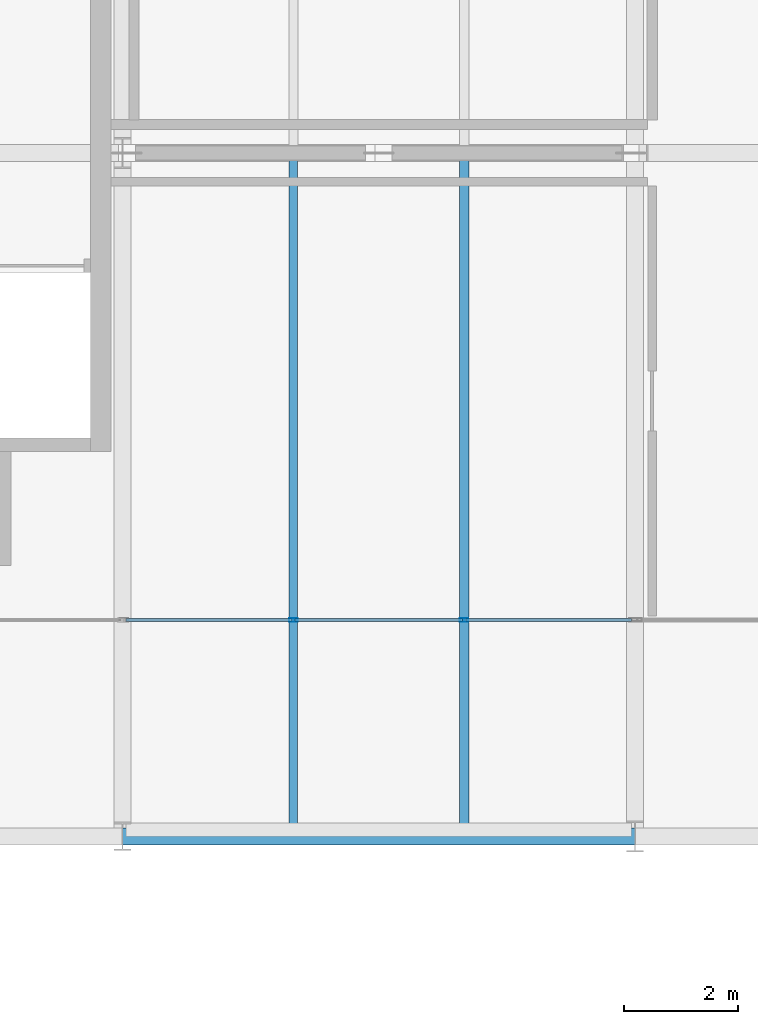
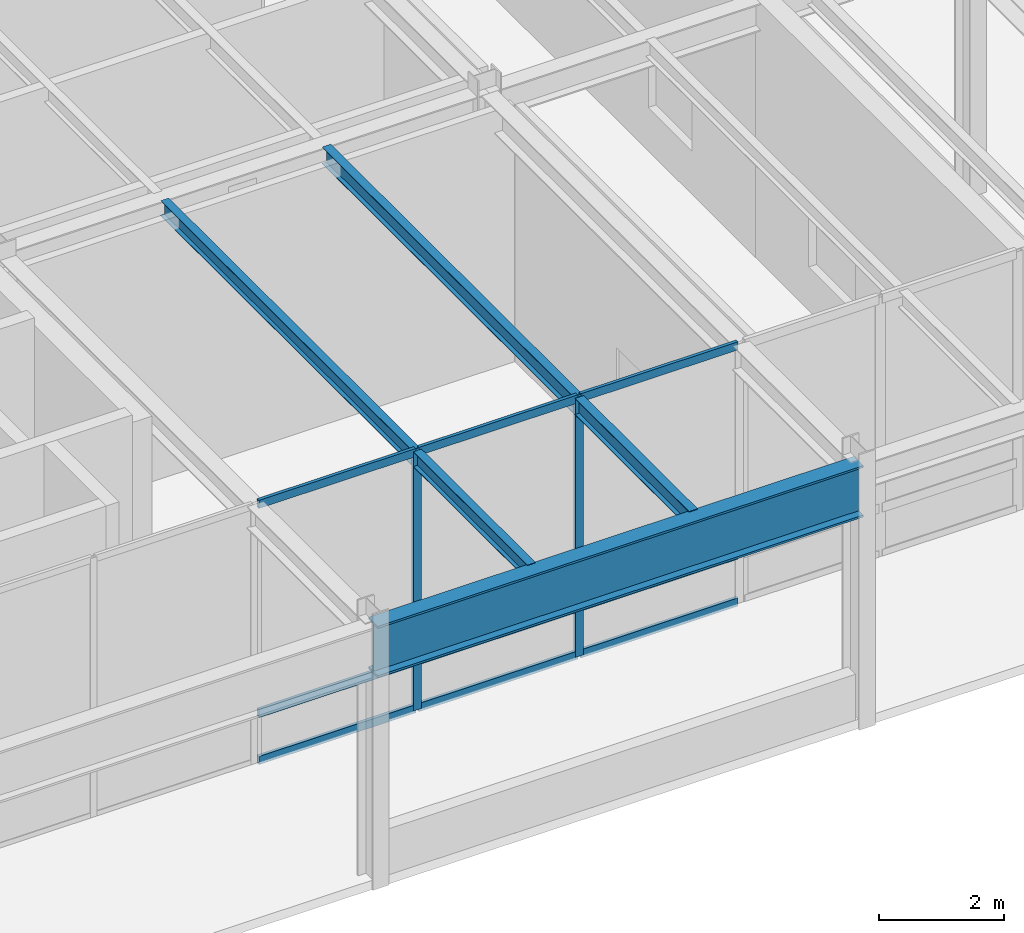
# One storey, part 31 of 143: 11 members, 3 beams, 1 element without a shape of its own.
"""IFC4 building model written with IfcOpenShell, lengths in metres."""

from ifc_helpers import new_model, si_unit, direction, frame, origin, origin_2d, place, context, subcontext, project, spatial, hollow_rectangle, i_section, extrude, material, layer, layer_set, material_profile, profile_set, type_object, element, aggregate, save


model = new_model("IFC4")

# Units and contexts
model_context = context("Model", 3, precision=1e-05, world=origin(), true_north=direction((0.0, 1.0)))
body_context = subcontext(model_context, "Body", "Model", "MODEL_VIEW")
ifc_project = project(units=[si_unit("LENGTHUNIT", "METRE"), si_unit("AREAUNIT", "SQUARE_METRE"), si_unit("VOLUMEUNIT", "CUBIC_METRE"), si_unit("PLANEANGLEUNIT", "RADIAN"), si_unit("MASSUNIT", "GRAM", prefix="KILO")], contexts=[model_context])

# Site, building, storey
site_placement = place(None, origin())
site = spatial("IfcSite", under=ifc_project, at=site_placement, CompositionType="ELEMENT")
building_placement = place(site_placement, origin())
building = spatial("IfcBuilding", under=site, at=building_placement, Name="Montelvaro Courts of Justice", CompositionType="ELEMENT")
storey_placement = place(building_placement, origin())
storey = spatial("IfcBuildingStorey", under=building, at=storey_placement, Name="L00", CompositionType="ELEMENT", Elevation=0.0)

# Beams
ifc_material_1 = material(Name="Steel S355", Category="steel")
ifc_material_profile_1 = material_profile(ifc_material_1, i_section(OverallWidth=0.302001953125, OverallDepth=1.008056640625, WebThickness=0.02099609375, FlangeThickness=0.0400390625, at=origin_2d()), Name="HEM 1000")
ifc_profile_set_1 = profile_set([ifc_material_profile_1], Name="Steel S355")
beam_type_1 = type_object("IfcBeamType", Name="Beam_HEM1000", PredefinedType="USERDEFINED", material=ifc_profile_set_1)
beam_1_placement = place(storey_placement, frame((72.0, 0.0, 4.555908203125), z_axis=(-1.0, 0.0, 0.0), x_axis=(0.0, -1.0, 0.0)))
element("IfcBeam", 1, at=beam_1_placement, inside=storey, type_object=beam_type_1, Name="Pratt Cantilever Truss Chord CTR-BAR1-S-L01-BS1", ObjectType="GIRDER", PredefinedType="USERDEFINED", context=body_context, shape_type="SweptSolid", body=[
    extrude(i_section(OverallWidth=0.302001953125, OverallDepth=1.008056640625, WebThickness=0.02099609375, FlangeThickness=0.0400390625, at=origin_2d()), origin(), (0.0, 0.0, 1.0), 9.0),
])
ifc_material_profile_2 = material_profile(ifc_material_1, i_section(OverallWidth=0.14990234375, OverallDepth=0.300048828125, WebThickness=0.007080078125, FlangeThickness=0.0107421875, at=origin_2d()), Name="IPE 300")
ifc_profile_set_2 = profile_set([ifc_material_profile_2], Name="Steel S355")
beam_type_2 = type_object("IfcBeamType", Name="Beam_IPE300", PredefinedType="BEAM", material=ifc_profile_set_2)
beam_2_placement = place(storey_placement, frame((66.0, 0.110107421875, 4.929931640625), z_axis=(0.0, 1.0, 0.0), x_axis=(-1.0, 0.0, 0.0)))
element("IfcBeam", 2, at=beam_2_placement, inside=storey, type_object=beam_type_2, Name="Beam B-05 L00", PredefinedType="BEAM", context=body_context, shape_type="SweptSolid", body=[
    extrude(i_section(OverallWidth=0.14990234375, OverallDepth=0.300048828125, WebThickness=0.007080078125, FlangeThickness=0.0107421875, at=origin_2d()), origin(), (0.0, 0.0, 1.0), 11.77978515625),
])
ifc_material_profile_3 = material_profile(ifc_material_1, i_section(OverallWidth=0.159912109375, OverallDepth=0.330078125, WebThickness=0.007568359375, FlangeThickness=0.011474609375, at=origin_2d()), Name="IPE 330")
ifc_profile_set_3 = profile_set([ifc_material_profile_3], Name="Steel S355")
beam_type_3 = type_object("IfcBeamType", Name="Beam_IPE330", PredefinedType="BEAM", material=ifc_profile_set_3)
beam_3_placement = place(storey_placement, frame((69.0, 0.110107421875, 4.9150390625), z_axis=(0.0, 1.0, 0.0), x_axis=(-1.0, 0.0, 0.0)))
element("IfcBeam", 3, at=beam_3_placement, inside=storey, type_object=beam_type_3, Name="Beam B-06 L00", PredefinedType="BEAM", context=body_context, shape_type="SweptSolid", body=[
    extrude(i_section(OverallWidth=0.159912109375, OverallDepth=0.330078125, WebThickness=0.007568359375, FlangeThickness=0.011474609375, at=origin_2d()), origin(), (0.0, 0.0, 1.0), 11.77978515625),
])

# Curtain wall, members
ifc_material_2 = material(Name="Anodised aluminium EN AW-6063", Category="aluminium")
ifc_layer = layer(ifc_material_2, 0.159912109375)
ifc_layer_set = layer_set([ifc_layer], Name="Anodised aluminium EN AW-6063")
curtain_wall_type = type_object("IfcCurtainWallType", Name="CurtainWall_11_900x508", PredefinedType="USERDEFINED", material=ifc_layer_set)
curtain_wall_placement = place(storey_placement, origin())
curtain_wall = element("IfcCurtainWall", 4, at=curtain_wall_placement, inside=storey, type_object=curtain_wall_type, Name="Curtain Wall CW-11 (L00)", ObjectType="CURTAIN WALL", PredefinedType="USERDEFINED")
ifc_material_profile_4 = material_profile(ifc_material_2, hollow_rectangle(XDim=0.06005859375, YDim=0.14990234375, WallThickness=0.00390625, at=origin_2d()), Name="ALU-M 60x150")
ifc_profile_set_4 = profile_set([ifc_material_profile_4], Name="Anodised aluminium EN AW-6063")
member_type_1 = type_object("IfcMemberType", Name="CurtainWall_Mullion_60x150", PredefinedType="MULLION", material=ifc_profile_set_4)
member_1_placement = place(storey_placement, frame((66.0, 3.800048828125, 0.0), z_axis=(0.0, 0.0, 1.0), x_axis=(0.0, 1.0, 0.0)))
member_1 = element("IfcMember", 5, at=member_1_placement, type_object=member_type_1, Name="CW-11 mullion 2", PredefinedType="MULLION", context=body_context, shape_type="SweptSolid", body=[
    extrude(hollow_rectangle(XDim=0.06005859375, YDim=0.14990234375, WallThickness=0.00390625, at=origin_2d()), origin(), (0.0, 0.0, 1.0), 5.080078125),
])
member_2_placement = place(storey_placement, frame((69.0, 3.800048828125, 0.0), z_axis=(0.0, 0.0, 1.0), x_axis=(0.0, 1.0, 0.0)))
member_2 = element("IfcMember", 6, at=member_2_placement, type_object=member_type_1, Name="CW-11 mullion 3", PredefinedType="MULLION", context=body_context, shape_type="SweptSolid", body=[
    extrude(hollow_rectangle(XDim=0.06005859375, YDim=0.14990234375, WallThickness=0.00390625, at=origin_2d()), origin(), (0.0, 0.0, 1.0), 5.080078125),
])
ifc_material_profile_5 = material_profile(ifc_material_2, hollow_rectangle(XDim=0.06005859375, YDim=0.159912109375, WallThickness=0.00439453125, at=origin_2d()), Name="ALU-T 60x160")
ifc_profile_set_5 = profile_set([ifc_material_profile_5], Name="Anodised aluminium EN AW-6063")
member_type_2 = type_object("IfcMemberType", Name="CurtainWall_Transom_60x160", PredefinedType="USERDEFINED", material=ifc_profile_set_5)
member_3_placement = place(storey_placement, frame((63.06005859375, 3.800048828125, 0.030029296875), z_axis=(1.0, 0.0, 0.0), x_axis=(0.0, 1.0, 0.0)))
member_3 = element("IfcMember", 7, at=member_3_placement, type_object=member_type_2, Name="CW-11 transom 1.1", ObjectType="TRANSOM", PredefinedType="USERDEFINED", context=body_context, shape_type="SweptSolid", body=[
    extrude(hollow_rectangle(XDim=0.06005859375, YDim=0.159912109375, WallThickness=0.00439453125, at=origin_2d()), origin(), (0.0, 0.0, 1.0), 2.909912109375),
])
member_4_placement = place(storey_placement, frame((63.06005859375, 3.800048828125, 0.949951171875), z_axis=(1.0, 0.0, 0.0), x_axis=(0.0, 1.0, 0.0)))
member_4 = element("IfcMember", 8, at=member_4_placement, type_object=member_type_2, Name="CW-11 transom 1.2", ObjectType="TRANSOM", PredefinedType="USERDEFINED", context=body_context, shape_type="SweptSolid", body=[
    extrude(hollow_rectangle(XDim=0.06005859375, YDim=0.159912109375, WallThickness=0.00439453125, at=origin_2d()), origin(), (0.0, 0.0, 1.0), 2.909912109375),
])
member_5_placement = place(storey_placement, frame((63.06005859375, 3.800048828125, 5.050048828125), z_axis=(1.0, 0.0, 0.0), x_axis=(0.0, 1.0, 0.0)))
member_5 = element("IfcMember", 9, at=member_5_placement, type_object=member_type_2, Name="CW-11 transom 1.3", ObjectType="TRANSOM", PredefinedType="USERDEFINED", context=body_context, shape_type="SweptSolid", body=[
    extrude(hollow_rectangle(XDim=0.06005859375, YDim=0.159912109375, WallThickness=0.00439453125, at=origin_2d()), origin(), (0.0, 0.0, 1.0), 2.909912109375),
])
member_6_placement = place(storey_placement, frame((66.030029296875, 3.800048828125, 0.030029296875), z_axis=(1.0, 0.0, 0.0), x_axis=(0.0, 1.0, 0.0)))
member_6 = element("IfcMember", 10, at=member_6_placement, type_object=member_type_2, Name="CW-11 transom 2.1", ObjectType="TRANSOM", PredefinedType="USERDEFINED", context=body_context, shape_type="SweptSolid", body=[
    extrude(hollow_rectangle(XDim=0.06005859375, YDim=0.159912109375, WallThickness=0.00439453125, at=origin_2d()), origin(), (0.0, 0.0, 1.0), 2.93994140625),
])
member_7_placement = place(storey_placement, frame((66.030029296875, 3.800048828125, 0.949951171875), z_axis=(1.0, 0.0, 0.0), x_axis=(0.0, 1.0, 0.0)))
member_7 = element("IfcMember", 11, at=member_7_placement, type_object=member_type_2, Name="CW-11 transom 2.2", ObjectType="TRANSOM", PredefinedType="USERDEFINED", context=body_context, shape_type="SweptSolid", body=[
    extrude(hollow_rectangle(XDim=0.06005859375, YDim=0.159912109375, WallThickness=0.00439453125, at=origin_2d()), origin(), (0.0, 0.0, 1.0), 2.93994140625),
])
member_8_placement = place(storey_placement, frame((66.030029296875, 3.800048828125, 5.050048828125), z_axis=(1.0, 0.0, 0.0), x_axis=(0.0, 1.0, 0.0)))
member_8 = element("IfcMember", 12, at=member_8_placement, type_object=member_type_2, Name="CW-11 transom 2.3", ObjectType="TRANSOM", PredefinedType="USERDEFINED", context=body_context, shape_type="SweptSolid", body=[
    extrude(hollow_rectangle(XDim=0.06005859375, YDim=0.159912109375, WallThickness=0.00439453125, at=origin_2d()), origin(), (0.0, 0.0, 1.0), 2.93994140625),
])
member_9_placement = place(storey_placement, frame((69.030029296875, 3.800048828125, 0.030029296875), z_axis=(1.0, 0.0, 0.0), x_axis=(0.0, 1.0, 0.0)))
member_9 = element("IfcMember", 13, at=member_9_placement, type_object=member_type_2, Name="CW-11 transom 3.1", ObjectType="TRANSOM", PredefinedType="USERDEFINED", context=body_context, shape_type="SweptSolid", body=[
    extrude(hollow_rectangle(XDim=0.06005859375, YDim=0.159912109375, WallThickness=0.00439453125, at=origin_2d()), origin(), (0.0, 0.0, 1.0), 2.909912109375),
])
member_10_placement = place(storey_placement, frame((69.030029296875, 3.800048828125, 0.949951171875), z_axis=(1.0, 0.0, 0.0), x_axis=(0.0, 1.0, 0.0)))
member_10 = element("IfcMember", 14, at=member_10_placement, type_object=member_type_2, Name="CW-11 transom 3.2", ObjectType="TRANSOM", PredefinedType="USERDEFINED", context=body_context, shape_type="SweptSolid", body=[
    extrude(hollow_rectangle(XDim=0.06005859375, YDim=0.159912109375, WallThickness=0.00439453125, at=origin_2d()), origin(), (0.0, 0.0, 1.0), 2.909912109375),
])
member_11_placement = place(storey_placement, frame((69.030029296875, 3.800048828125, 5.050048828125), z_axis=(1.0, 0.0, 0.0), x_axis=(0.0, 1.0, 0.0)))
member_11 = element("IfcMember", 15, at=member_11_placement, type_object=member_type_2, Name="CW-11 transom 3.3", ObjectType="TRANSOM", PredefinedType="USERDEFINED", context=body_context, shape_type="SweptSolid", body=[
    extrude(hollow_rectangle(XDim=0.06005859375, YDim=0.159912109375, WallThickness=0.00439453125, at=origin_2d()), origin(), (0.0, 0.0, 1.0), 2.909912109375),
])
aggregate(curtain_wall, [member_1, member_2, member_3, member_4, member_5, member_6, member_7, member_8, member_9, member_10, member_11])

save(model, "model.ifc")
